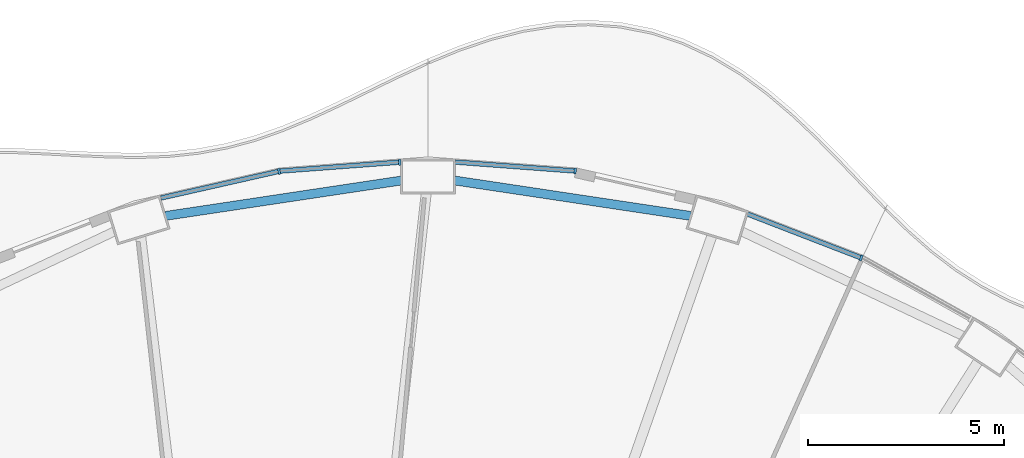
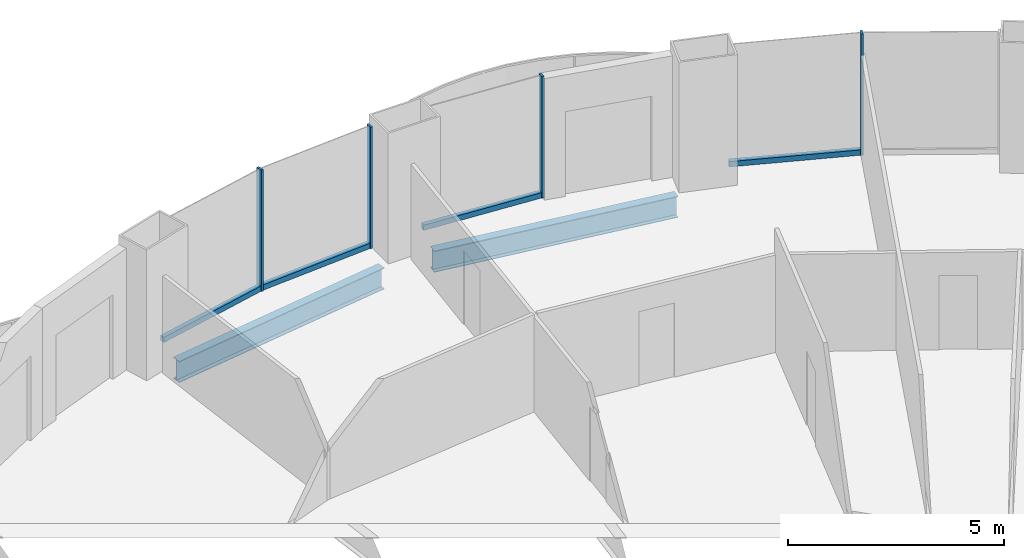
# One storey, part 11 of 22: 8 members, 2 beams, 4 elements without a shape of their own.
"""IFC4 building model written with IfcOpenShell, lengths in metres."""

from ifc_helpers import new_model, si_unit, direction, frame, origin, origin_2d, place, context, subcontext, project, spatial, rectangle, i_section, extrude, material, layer, layer_set, material_profile, profile_set, type_object, element, aggregate, save


model = new_model("IFC4")

# Units and contexts
model_context = context("Model", 3, precision=1e-05, world=origin(), true_north=direction((0.0, 1.0)))
body_context = subcontext(model_context, "Body", "Model", "MODEL_VIEW")
ifc_project = project(units=[si_unit("LENGTHUNIT", "METRE"), si_unit("AREAUNIT", "SQUARE_METRE"), si_unit("VOLUMEUNIT", "CUBIC_METRE"), si_unit("PLANEANGLEUNIT", "RADIAN"), si_unit("MASSUNIT", "GRAM", prefix="KILO")], contexts=[model_context])

# Site, building, storey
site_placement = place(None, origin())
site = spatial("IfcSite", under=ifc_project, at=site_placement, CompositionType="ELEMENT")
building_placement = place(site_placement, origin())
building = spatial("IfcBuilding", under=site, at=building_placement, Name="Nagisa Residences", CompositionType="ELEMENT")
storey_placement = place(building_placement, frame((0.0, 0.0, 49.199951171875)))
storey = spatial("IfcBuildingStorey", under=building, at=storey_placement, Name="L11", CompositionType="ELEMENT", Elevation=49.199951171875)

# Curtain wall, member
ifc_material_1 = material(Name="Concrete-coloured aluminium curtain wall system", Category="concrete")
ifc_layer = layer(ifc_material_1, 0.159912109375)
ifc_layer_set = layer_set([ifc_layer], Name="CW1 CURTAIN WALL")
curtain_wall_type = type_object("IfcCurtainWallType", Name="CW1 CURTAIN WALL", PredefinedType="NOTDEFINED", material=ifc_layer_set)
curtain_wall_1_placement = place(storey_placement, origin())
curtain_wall_1 = element("IfcCurtainWall", 1, at=curtain_wall_1_placement, inside=storey, type_object=curtain_wall_type, Name="cw:CW1:L11:09", PredefinedType="NOTDEFINED")
ifc_material_2 = material(Name="Concrete-coloured aluminium", Category="concrete")
ifc_material_profile_1 = material_profile(ifc_material_2, rectangle(XDim=0.159912109375, YDim=0.06005859375, at=origin_2d()), Name="CW1 MULLION 160x60")
ifc_profile_set_1 = profile_set([ifc_material_profile_1], Name="Concrete-coloured aluminium")
member_type_1 = type_object("IfcMemberType", Name="CW1 MULLION 160x60", PredefinedType="MULLION", material=ifc_profile_set_1)
member_1_placement = place(storey_placement, frame((14.64111328125, 30.42431640625, 0.0), z_axis=(0.0, 0.0, 1.0), x_axis=(-0.360327770268, -0.932825759707, 0.0)))
member_1 = element("IfcMember", 2, at=member_1_placement, type_object=member_type_1, Name="CW1 mullion", PredefinedType="MULLION", context=body_context, shape_type="SweptSolid", body=[
    extrude(rectangle(XDim=0.159912109375, YDim=0.06005859375, at=origin_2d()), origin(), (0.0, 0.0, 1.0), 3.43994140625),
])

curtain_wall_2_placement = place(storey_placement, origin())
curtain_wall_2 = element("IfcCurtainWall", 3, at=curtain_wall_2_placement, inside=storey, type_object=curtain_wall_type, Name="cw:CW1:L11:11", PredefinedType="NOTDEFINED")
member_2_placement = place(storey_placement, frame((7.349365234375, 32.64013671875, 0.0), z_axis=(0.0, 0.0, 1.0), x_axis=(-0.074377355493, -0.997230168512, 0.0)))
member_2 = element("IfcMember", 4, at=member_2_placement, type_object=member_type_1, Name="CW1 mullion", PredefinedType="MULLION", context=body_context, shape_type="SweptSolid", body=[
    extrude(rectangle(XDim=0.159912109375, YDim=0.06005859375, at=origin_2d()), origin(), (0.0, 0.0, 1.0), 3.43994140625),
])

curtain_wall_3_placement = place(storey_placement, origin())
curtain_wall_3 = element("IfcCurtainWall", 5, at=curtain_wall_3_placement, inside=storey, type_object=curtain_wall_type, Name="cw:CW1:L11:12", PredefinedType="NOTDEFINED")
member_3_placement = place(storey_placement, frame((2.8779296875, 32.865966796875, 0.0), z_axis=(0.0, 0.0, 1.0), x_axis=(0.074377355493, -0.997230168512, 0.0)))
member_3 = element("IfcMember", 6, at=member_3_placement, type_object=member_type_1, Name="CW1 mullion", PredefinedType="MULLION", context=body_context, shape_type="SweptSolid", body=[
    extrude(rectangle(XDim=0.159912109375, YDim=0.06005859375, at=origin_2d()), origin(), (0.0, 0.0, 1.0), 3.43994140625),
])

curtain_wall_4_placement = place(storey_placement, origin())
curtain_wall_4 = element("IfcCurtainWall", 7, at=curtain_wall_4_placement, inside=storey, type_object=curtain_wall_type, Name="cw:CW1:L11:13", PredefinedType="NOTDEFINED")
member_4_placement = place(storey_placement, frame((-0.19677734375, 32.633056640625, 0.0), z_axis=(0.0, 0.0, 1.0), x_axis=(0.2207639201, -0.975327274089, 0.0)))
member_4 = element("IfcMember", 8, at=member_4_placement, type_object=member_type_1, Name="CW1 mullion", PredefinedType="MULLION", context=body_context, shape_type="SweptSolid", body=[
    extrude(rectangle(XDim=0.159912109375, YDim=0.06005859375, at=origin_2d()), origin(), (0.0, 0.0, 1.0), 3.43994140625),
])

# Member
ifc_material_3 = material(Name="Concrete-coloured aluminium", Category="concrete")
ifc_material_profile_2 = material_profile(ifc_material_3, rectangle(XDim=0.1201171875, YDim=0.14990234375, at=origin_2d()), Name="CW1 TRANSOM 120x150")
ifc_profile_set_2 = profile_set([ifc_material_profile_2], Name="Concrete-coloured aluminium")
member_type_2 = type_object("IfcMemberType", Name="CW1 TRANSOM 120x150", PredefinedType="USERDEFINED", material=ifc_profile_set_2)
member_5_placement = place(storey_placement, frame((14.6689453125, 30.413330078125, 0.074951171875), z_axis=(-0.932825366452, 0.360328788337, 0.0), x_axis=(-0.360328788337, -0.932825366452, 0.0)))
member_5 = element("IfcMember", 9, at=member_5_placement, type_object=member_type_2, Name="CW1 transom", ObjectType="TRANSOM", PredefinedType="USERDEFINED", context=body_context, shape_type="SweptSolid", body=[
    extrude(rectangle(XDim=0.1201171875, YDim=0.14990234375, at=origin_2d()), origin(), (0.0, 0.0, 1.0), 3.150634765625),
])

aggregate(curtain_wall_1, [member_1, member_5])

member_6_placement = place(storey_placement, frame((7.37939453125, 32.637939453125, 0.074951171875), z_axis=(-0.997231270995, 0.07436257224, 0.0), x_axis=(-0.07436257224, -0.997231270995, 0.0)))
member_6 = element("IfcMember", 10, at=member_6_placement, type_object=member_type_2, Name="CW1 transom", ObjectType="TRANSOM", PredefinedType="USERDEFINED", context=body_context, shape_type="SweptSolid", body=[
    extrude(rectangle(XDim=0.1201171875, YDim=0.14990234375, at=origin_2d()), origin(), (0.0, 0.0, 1.0), 3.095947265625),
])

aggregate(curtain_wall_2, [member_2, member_6])

member_7_placement = place(storey_placement, frame((2.907958984375, 32.8681640625, 0.074951171875), z_axis=(-0.997230834878, -0.074368420505, 0.0), x_axis=(0.074368420505, -0.997230834878, 0.0)))
member_7 = element("IfcMember", 11, at=member_7_placement, type_object=member_type_2, Name="CW1 transom", ObjectType="TRANSOM", PredefinedType="USERDEFINED", context=body_context, shape_type="SweptSolid", body=[
    extrude(rectangle(XDim=0.1201171875, YDim=0.14990234375, at=origin_2d()), origin(), (0.0, 0.0, 1.0), 3.095703125),
])

aggregate(curtain_wall_3, [member_3, member_7])

member_8_placement = place(storey_placement, frame((-0.16748046875, 32.6396484375, 0.074951171875), z_axis=(-0.97533495413, -0.220729987208, 0.0), x_axis=(0.220729987208, -0.97533495413, 0.0)))
member_8 = element("IfcMember", 12, at=member_8_placement, type_object=member_type_2, Name="CW1 transom", ObjectType="TRANSOM", PredefinedType="USERDEFINED", context=body_context, shape_type="SweptSolid", body=[
    extrude(rectangle(XDim=0.1201171875, YDim=0.14990234375, at=origin_2d()), origin(), (0.0, 0.0, 1.0), 3.11474609375),
])

aggregate(curtain_wall_4, [member_4, member_8])

# Beams
ifc_material_4 = material(Name="Steel ASTM A572 Gr 50", Category="steel")
ifc_material_profile_3 = material_profile(ifc_material_4, i_section(OverallWidth=0.22802734375, OverallDepth=0.60302734375, WebThickness=0.010498046875, FlangeThickness=0.014892578125, at=origin_2d()), Name="W610x101")
ifc_profile_set_3 = profile_set([ifc_material_profile_3], Name="Steel ASTM A572 Gr 50")
beam_type = type_object("IfcBeamType", Name="Perimeter ring beam W610x101", PredefinedType="BEAM", material=ifc_profile_set_3)
for number, where, z_axis, x_axis, name in (
    (13, (10.29638671875, 31.49462890625, -0.5615234375), (-0.988914559467, 0.14848566959, 0.0), (-0.14848566959, -0.988914559467, 0.0), "beam:L11:pb06"),
    (14, (2.919677734375, 32.39794921875, -0.5615234375), (-0.988914559467, -0.14848566959, 0.0), (0.14848566959, -0.988914559467, 0.0), "beam:L11:pb07"),
):
    element("IfcBeam", number, at=place(storey_placement, frame(where, z_axis=z_axis, x_axis=x_axis)), inside=storey, type_object=beam_type, Name=name, PredefinedType="BEAM", context=body_context, shape_type="SweptSolid", body=[
        extrude(i_section(OverallWidth=0.22802734375, OverallDepth=0.60302734375, WebThickness=0.010498046875, FlangeThickness=0.014892578125, at=origin_2d()), origin(), (0.0, 0.0, 1.0), 6.08349609375),
    ])

save(model, "model.ifc")
